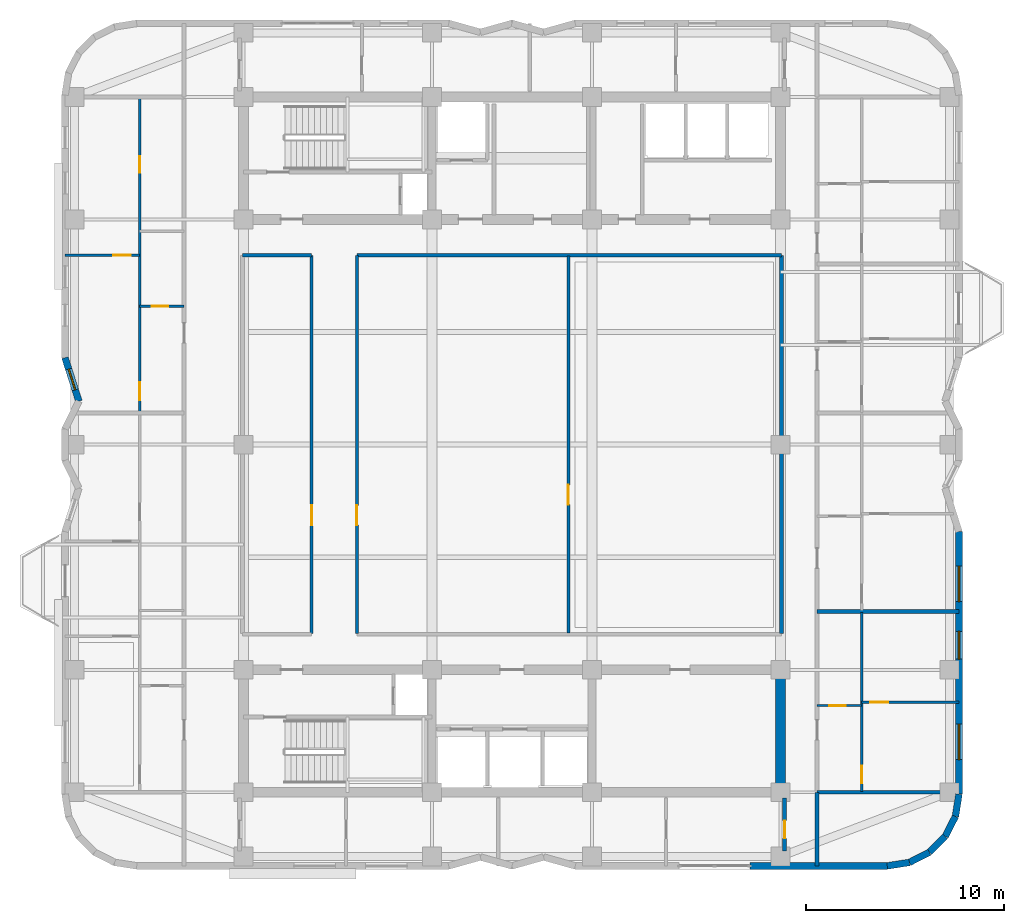
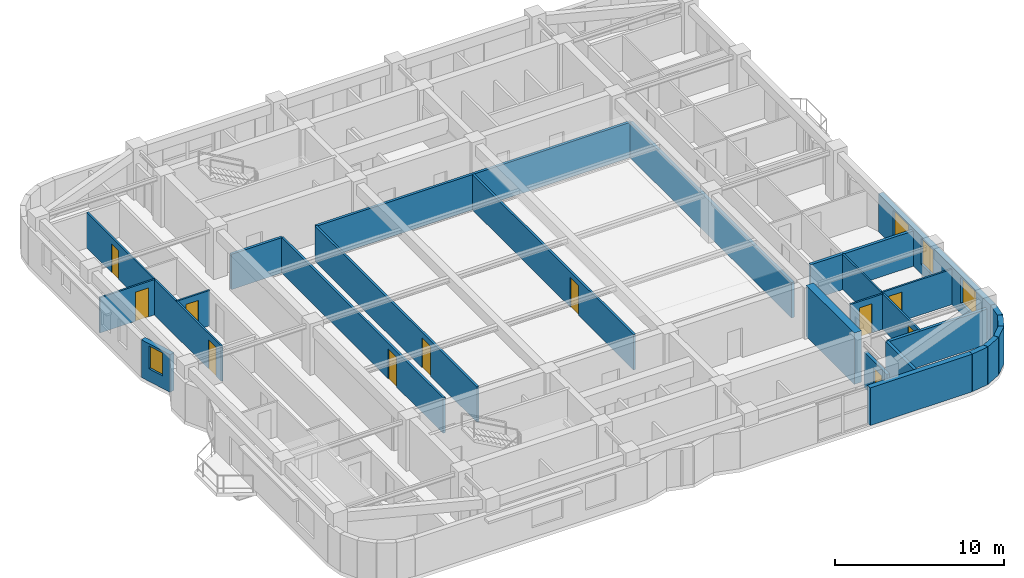
# One storey, part 6 of 12: 25 walls, 11 doors, 4 windows, 15 openings.
"""IFC4 building model written with IfcOpenShell, lengths in metres."""

from ifc_helpers import new_model, si_unit, direction, frame, frame_2d, origin, place, context, subcontext, project, spatial, rectangle, extrude, material, layer, layer_set, type_object, element, fill, save


model = new_model("IFC4")

# Units and contexts
model_context = context("Model", 3, precision=1e-05, world=origin(), true_north=direction((0.0, 1.0)))
body_context = subcontext(model_context, "Body", "Model", "MODEL_VIEW")
ifc_project = project(units=[si_unit("LENGTHUNIT", "METRE"), si_unit("AREAUNIT", "SQUARE_METRE"), si_unit("VOLUMEUNIT", "CUBIC_METRE"), si_unit("PLANEANGLEUNIT", "RADIAN"), si_unit("MASSUNIT", "GRAM", prefix="KILO")], contexts=[model_context])

# Site, building, storey
site_placement = place(None, origin())
site = spatial("IfcSite", under=ifc_project, at=site_placement, CompositionType="ELEMENT")
building_placement = place(site_placement, origin())
building = spatial("IfcBuilding", under=site, at=building_placement, Name="Svetorya Sky Lyceum", CompositionType="ELEMENT")
storey_placement = place(building_placement, frame((0.0, 0.0, 177.39990234375)))
storey = spatial("IfcBuildingStorey", under=building, at=storey_placement, Name="L44", CompositionType="ELEMENT", Elevation=177.39990234375)

# Walls
ifc_material_1 = material(Name="Concrete C50/60", Category="concrete")
ifc_layer_1 = layer(ifc_material_1, 0.5)
ifc_layer_set_1 = layer_set([ifc_layer_1], Name="Concrete C50/60")
wall_type_1 = type_object("IfcWallType", Name="WL-CORE-500", PredefinedType="SHEAR", material=ifc_layer_set_1)
wall_1_placement = place(storey_placement, frame((52.800048828125, 10.85009765625, 0.0), z_axis=(0.0, 0.0, 1.0), x_axis=(0.0, 1.0, 0.0)))
element("IfcWall", 1, at=wall_1_placement, inside=storey, type_object=wall_type_1, Name="L44 SC East Core Shear Wall", PredefinedType="SHEAR", context=body_context, shape_type="SweptSolid", body=[
    extrude(rectangle(XDim=5.699951171875, YDim=0.5, at=frame_2d((2.85009765625, 0.0))), origin(), (0.0, 0.0, 1.0), 3.7001953125),
])
ifc_material_2 = material(Name="Putilovo limestone rainscreen on autoclaved cellular masonry", Category="masonry")
ifc_layer_2 = layer(ifc_material_2, 0.340087890625)
ifc_layer_set_2 = layer_set([ifc_layer_2], Name="Putilovo limestone rainscreen on autoclaved cellular masonry")
wall_type_2 = type_object("IfcWallType", Name="WL-EXT-340", PredefinedType="SOLIDWALL", material=ifc_layer_set_2)
wall_2_placement = place(storey_placement, frame((51.25, 6.8701171875, 0.0), z_axis=(0.0, 0.0, 1.0), x_axis=(1.0, 0.0, 0.0)))
element("IfcWall", 2, at=wall_2_placement, inside=storey, type_object=wall_type_2, Name="L44 Limestone Exterior Wall 11B", PredefinedType="SOLIDWALL", context=body_context, shape_type="SweptSolid", body=[
    extrude(rectangle(XDim=6.949951171875, YDim=0.340087890625, at=frame_2d((3.47509765625, 0.0))), origin(), (0.0, 0.0, 1.0), 2.72021484375),
])
for number, where, z_axis, x_axis, name in (
    (3, (58.199951171875, 6.8701171875, 0.0), (0.0, 0.0, 1.0), (0.987714116584, 0.156271634985, 0.0), "L44 Limestone Exterior Wall 12M"),
    (4, (59.32177734375, 7.047607421875, 0.0), (0.0, 0.0, 1.0), (0.891005044957, 0.453993402883, 0.0), "L44 Limestone Exterior Wall 13M"),
):
    element("IfcWall", number, at=place(storey_placement, frame(where, z_axis=z_axis, x_axis=x_axis)), inside=storey, type_object=wall_type_2, Name=name, PredefinedType="SOLIDWALL", context=body_context, shape_type="SweptSolid", body=[
        extrude(rectangle(XDim=1.1357421875, YDim=0.340087890625, at=frame_2d((0.56787109375, 0.0))), origin(), (0.0, 0.0, 1.0), 2.72021484375),
    ])
wall_3_placement = place(storey_placement, frame((60.333740234375, 7.563232421875, 0.0), z_axis=(0.0, 0.0, 1.0), x_axis=(0.707106781187, 0.707106781187, 0.0)))
element("IfcWall", 5, at=wall_3_placement, inside=storey, type_object=wall_type_2, Name="L44 Limestone Exterior Wall 14M", PredefinedType="SOLIDWALL", context=body_context, shape_type="SweptSolid", body=[
    extrude(rectangle(XDim=1.135498046875, YDim=0.340087890625, at=frame_2d((0.56787109375, 0.0))), origin(), (0.0, 0.0, 1.0), 2.72021484375),
])
wall_4_placement = place(storey_placement, frame((61.13671875, 8.3662109375, 0.0), z_axis=(0.0, 0.0, 1.0), x_axis=(0.45390646422, 0.891049337433, 0.0)))
element("IfcWall", 6, at=wall_4_placement, inside=storey, type_object=wall_type_2, Name="L44 Limestone Exterior Wall 15M", PredefinedType="SOLIDWALL", context=body_context, shape_type="SweptSolid", body=[
    extrude(rectangle(XDim=1.135986328125, YDim=0.340087890625, at=frame_2d((0.56787109375, 0.0))), origin(), (0.0, 0.0, 1.0), 2.72021484375),
])
wall_5_placement = place(storey_placement, frame((61.65234375, 9.37841796875, 0.0), z_axis=(0.0, 0.0, 1.0), x_axis=(0.156514556949, 0.987675651954, 0.0)))
element("IfcWall", 7, at=wall_5_placement, inside=storey, type_object=wall_type_2, Name="L44 Limestone Exterior Wall 16M", PredefinedType="SOLIDWALL", context=body_context, shape_type="SweptSolid", body=[
    extrude(rectangle(XDim=1.135498046875, YDim=0.340087890625, at=frame_2d((0.56787109375, 0.0))), origin(), (0.0, 0.0, 1.0), 2.72021484375),
])

# Wall, openings, windows
wall_6_placement = place(storey_placement, frame((61.830078125, 10.5, 0.0), z_axis=(0.0, 0.0, 1.0), x_axis=(0.0, 1.0, 0.0)))
wall_6 = element("IfcWall", 8, at=wall_6_placement, inside=storey, type_object=wall_type_2, Name="L44 Limestone Exterior Wall 17M", PredefinedType="SOLIDWALL", context=body_context, shape_type="SweptSolid", body=[
    extrude(rectangle(XDim=13.300048828125, YDim=0.340087890625, at=frame_2d((6.64990234375, 0.0))), origin(), (0.0, 0.0, 1.0), 2.72021484375),
])
opening_1_placement = place(wall_6_placement, frame((1.75, 0.0, 0.75)))
opening_1 = element("IfcOpeningElement", 9, at=opening_1_placement, cuts=wall_6, Name="Opening W-R1", PredefinedType="OPENING", context=body_context, shape_type="SweptSolid", body=[
    extrude(rectangle(XDim=1.800048828125, YDim=1.85009765625, at=frame_2d((0.89990234375, 0.925048828125))), frame((0.0, 0.179931640625, 0.0), z_axis=(0.0, -1.0, 0.0), x_axis=(1.0, 0.0, 0.0)), (0.0, 0.0, 1.0), 0.360107421875),
])
opening_2_placement = place(wall_6_placement, frame((6.840087890625, 0.0, 0.7099609375)))
opening_2 = element("IfcOpeningElement", 10, at=opening_2_placement, cuts=wall_6, Name="Opening W-R2", PredefinedType="OPENING", context=body_context, shape_type="SweptSolid", body=[
    extrude(rectangle(XDim=1.39990234375, YDim=1.85009765625, at=frame_2d((0.699951171875, 0.925048828125))), frame((0.0, 0.179931640625, 0.0), z_axis=(0.0, -1.0, 0.0), x_axis=(1.0, 0.0, 0.0)), (0.0, 0.0, 1.0), 0.360107421875),
])
opening_3_placement = place(wall_6_placement, frame((9.75, 0.0, 0.75)))
opening_3 = element("IfcOpeningElement", 11, at=opening_3_placement, cuts=wall_6, Name="Opening W-R1", PredefinedType="OPENING", context=body_context, shape_type="SweptSolid", body=[
    extrude(rectangle(XDim=1.800048828125, YDim=1.85009765625, at=frame_2d((0.89990234375, 0.925048828125))), frame((0.0, 0.179931640625, 0.0), z_axis=(0.0, -1.0, 0.0), x_axis=(1.0, 0.0, 0.0)), (0.0, 0.0, 1.0), 0.360107421875),
])
ifc_material_3 = material(Name="Thermally broken aluminium frame with triple low-E glazing", Category="aluminium")
window_type_1 = type_object("IfcWindowType", Name="WN-RES-140", PartitioningType="SINGLE_PANEL", PredefinedType="WINDOW", material=ifc_material_3)
window_1_placement = place(opening_2_placement, origin())
window_1 = element("IfcWindow", 12, at=window_1_placement, inside=storey, type_object=window_type_1, Name="L44 Facade Window W-R2.17M.3", OverallHeight=1.85009765625, OverallWidth=1.39990234375, PartitioningType="SINGLE_PANEL", PredefinedType="WINDOW", context=body_context, shape_type="SweptSolid", body=[
    extrude(rectangle(XDim=1.39990234375, YDim=1.85009765625, at=frame_2d((0.699951171875, 0.925048828125))), frame((0.0, 0.030029296875, 0.0), z_axis=(0.0, -1.0, 0.0), x_axis=(1.0, 0.0, 0.0)), (0.0, 0.0, 1.0), 0.06005859375),
])
fill(opening_2, window_1)
window_type_2 = type_object("IfcWindowType", Name="WN-RES-180", PartitioningType="DOUBLE_PANEL_VERTICAL", PredefinedType="WINDOW", material=ifc_material_3)
window_2_placement = place(opening_1_placement, origin())
window_2 = element("IfcWindow", 13, at=window_2_placement, inside=storey, type_object=window_type_2, Name="L44 Facade Window W-R1.17M.1", OverallHeight=1.85009765625, OverallWidth=1.800048828125, PartitioningType="SINGLE_PANEL", PredefinedType="WINDOW", context=body_context, shape_type="SweptSolid", body=[
    extrude(rectangle(XDim=1.800048828125, YDim=1.85009765625, at=frame_2d((0.89990234375, 0.925048828125))), frame((0.0, 0.030029296875, 0.0), z_axis=(0.0, -1.0, 0.0), x_axis=(1.0, 0.0, 0.0)), (0.0, 0.0, 1.0), 0.06005859375),
])
fill(opening_1, window_2)
window_3_placement = place(opening_3_placement, origin())
window_3 = element("IfcWindow", 14, at=window_3_placement, inside=storey, type_object=window_type_2, Name="L44 Facade Window W-R1.17M.2", OverallHeight=1.85009765625, OverallWidth=1.800048828125, PartitioningType="SINGLE_PANEL", PredefinedType="WINDOW", context=body_context, shape_type="SweptSolid", body=[
    extrude(rectangle(XDim=1.800048828125, YDim=1.85009765625, at=frame_2d((0.89990234375, 0.925048828125))), frame((0.0, 0.030029296875, 0.0), z_axis=(0.0, -1.0, 0.0), x_axis=(1.0, 0.0, 0.0)), (0.0, 0.0, 1.0), 0.06005859375),
])
fill(opening_3, window_3)

# Wall, opening, window
wall_7_placement = place(storey_placement, frame((16.570068359375, 32.60009765625, 0.0), z_axis=(0.0, 0.0, 1.0), x_axis=(0.303160011437, -0.952939666225, 0.0)))
wall_7 = element("IfcWall", 15, at=wall_7_placement, inside=storey, type_object=wall_type_2, Name="L44 Limestone Exterior Wall 41M", PredefinedType="SOLIDWALL", context=body_context, shape_type="SweptSolid", body=[
    extrude(rectangle(XDim=2.308837890625, YDim=0.340087890625, at=frame_2d((1.154296875, 0.0))), origin(), (0.0, 0.0, 1.0), 2.72021484375),
])
opening_4_placement = place(wall_7_placement, frame((0.604248046875, 0.0, 0.909912109375)))
opening_4 = element("IfcOpeningElement", 16, at=opening_4_placement, cuts=wall_7, Name="Opening W-R3", PredefinedType="OPENING", context=body_context, shape_type="SweptSolid", body=[
    extrude(rectangle(XDim=1.10009765625, YDim=1.64990234375, at=frame_2d((0.550048828125, 0.824951171875))), frame((0.0, 0.179931640625, 0.0), z_axis=(0.0, -1.0, 0.0), x_axis=(1.0, 0.0, 0.0)), (0.0, 0.0, 1.0), 0.360107421875),
])
window_type_3 = type_object("IfcWindowType", Name="WN-RES-110", PartitioningType="SINGLE_PANEL", PredefinedType="WINDOW", material=ifc_material_3)
window_4_placement = place(opening_4_placement, origin())
window_4 = element("IfcWindow", 17, at=window_4_placement, inside=storey, type_object=window_type_3, Name="L44 Facade Window W-R3.41M.1", OverallHeight=1.64990234375, OverallWidth=1.10009765625, PartitioningType="SINGLE_PANEL", PredefinedType="WINDOW", context=body_context, shape_type="SweptSolid", body=[
    extrude(rectangle(XDim=1.10009765625, YDim=1.64990234375, at=frame_2d((0.550048828125, 0.824951171875))), frame((0.0, 0.030029296875, 0.0), z_axis=(0.0, -1.0, 0.0), x_axis=(1.0, 0.0, 0.0)), (0.0, 0.0, 1.0), 0.06005859375),
])
fill(opening_4, window_4)

# Wall, opening, door
ifc_material_4 = material(Name="Twin-stud galvanized framing with double fireboard", Category="gypsum")
ifc_layer_3 = layer(ifc_material_4, 0.1201171875)
ifc_layer_set_3 = layer_set([ifc_layer_3], Name="Twin-stud galvanized framing with double fireboard")
wall_type_3 = type_object("IfcWallType", Name="WL-PART-120", PredefinedType="PARTITIONING", material=ifc_layer_set_3)
wall_8_placement = place(storey_placement, frame((20.35009765625, 35.199951171875, 0.0), z_axis=(0.0, 0.0, 1.0), x_axis=(1.0, 0.0, 0.0)))
wall_8 = element("IfcWall", 18, at=wall_8_placement, inside=storey, type_object=wall_type_3, Name="L44 Interior Partition W2-WH1", PredefinedType="PARTITIONING", context=body_context, shape_type="SweptSolid", body=[
    extrude(rectangle(XDim=2.25, YDim=0.1201171875, at=frame_2d((1.125, 0.0))), origin(), (0.0, 0.0, 1.0), 2.550048828125),
])
opening_5_placement = place(wall_8_placement, frame((0.60009765625, 0.0, 0.0)))
opening_5 = element("IfcOpeningElement", 19, at=opening_5_placement, cuts=wall_8, Name="Opening D-BT1", PredefinedType="OPENING", context=body_context, shape_type="SweptSolid", body=[
    extrude(rectangle(XDim=0.85009765625, YDim=2.10009765625, at=frame_2d((0.425048828125, 1.050048828125))), frame((0.0, 0.070068359375, 0.0), z_axis=(0.0, -1.0, 0.0), x_axis=(1.0, 0.0, 0.0)), (0.0, 0.0, 1.0), 0.14013671875),
])
ifc_material_5 = material(Name="Moisture-resistant laminate bathroom door")
door_type_1 = type_object("IfcDoorType", Name="DR-WET-850", OperationType="SINGLE_SWING_LEFT", PredefinedType="DOOR", material=ifc_material_5)
door_1_placement = place(opening_5_placement, origin())
door_1 = element("IfcDoor", 20, at=door_1_placement, inside=storey, type_object=door_type_1, Name="Apartment W2 Bathroom Door", OperationType="SINGLE_SWING_RIGHT", OverallHeight=2.10009765625, OverallWidth=0.85009765625, PredefinedType="DOOR", context=body_context, shape_type="SweptSolid", body=[
    extrude(rectangle(XDim=0.85009765625, YDim=2.10009765625, at=frame_2d((0.425048828125, 1.050048828125))), frame((0.0, 0.02490234375, 0.0), z_axis=(0.0, -1.0, 0.0), x_axis=(1.0, 0.0, 0.0)), (0.0, 0.0, 1.0), 0.050048828125),
])
fill(opening_5, door_1)

wall_9_placement = place(storey_placement, frame((16.570068359375, 37.7900390625, 0.0), z_axis=(0.0, 0.0, 1.0), x_axis=(1.0, 0.0, 0.0)))
wall_9 = element("IfcWall", 21, at=wall_9_placement, inside=storey, type_object=wall_type_3, Name="L44 Interior Partition W2-WL1", PredefinedType="PARTITIONING", context=body_context, shape_type="SweptSolid", body=[
    extrude(rectangle(XDim=3.780029296875, YDim=0.1201171875, at=frame_2d((1.89013671875, 0.0))), origin(), (0.0, 0.0, 1.0), 2.550048828125),
])
opening_6_placement = place(wall_9_placement, frame((2.429931640625, 0.0, 0.0)))
opening_6 = element("IfcOpeningElement", 22, at=opening_6_placement, cuts=wall_9, Name="Opening D-RM1", PredefinedType="OPENING", context=body_context, shape_type="SweptSolid", body=[
    extrude(rectangle(XDim=0.89990234375, YDim=2.10009765625, at=frame_2d((0.449951171875, 1.050048828125))), frame((0.0, 0.070068359375, 0.0), z_axis=(0.0, -1.0, 0.0), x_axis=(1.0, 0.0, 0.0)), (0.0, 0.0, 1.0), 0.14013671875),
])
ifc_material_6 = material(Name="Lacquered birch veneer internal door")
door_type_2 = type_object("IfcDoorType", Name="DR-INT-900", OperationType="SINGLE_SWING_LEFT", PredefinedType="DOOR", material=ifc_material_6)
door_2_placement = place(opening_6_placement, origin())
door_2 = element("IfcDoor", 23, at=door_2_placement, inside=storey, type_object=door_type_2, Name="Apartment W2 Bedroom 1 Door", OperationType="SINGLE_SWING_RIGHT", OverallHeight=2.10009765625, OverallWidth=0.89990234375, PredefinedType="DOOR", context=body_context, shape_type="SweptSolid", body=[
    extrude(rectangle(XDim=0.89990234375, YDim=2.10009765625, at=frame_2d((0.449951171875, 1.050048828125))), frame((0.0, 0.02490234375, 0.0), z_axis=(0.0, -1.0, 0.0), x_axis=(1.0, 0.0, 0.0)), (0.0, 0.0, 1.0), 0.050048828125),
])
fill(opening_6, door_2)

# Wall, openings, doors
wall_10_placement = place(storey_placement, frame((20.35009765625, 29.840087890625, 0.0), z_axis=(0.0, 0.0, 1.0), x_axis=(0.0, 1.0, 0.0)))
wall_10 = element("IfcWall", 24, at=wall_10_placement, inside=storey, type_object=wall_type_3, Name="L44 Interior Partition W2-WV", PredefinedType="PARTITIONING", context=body_context, shape_type="SweptSolid", body=[
    extrude(rectangle(XDim=15.919921875, YDim=0.1201171875, at=frame_2d((7.9599609375, 0.0))), origin(), (0.0, 0.0, 1.0), 2.550048828125),
])
opening_7_placement = place(wall_10_placement, frame((0.610107421875, 0.0, 0.0)))
opening_7 = element("IfcOpeningElement", 25, at=opening_7_placement, cuts=wall_10, Name="Opening D-RM1", PredefinedType="OPENING", context=body_context, shape_type="SweptSolid", body=[
    extrude(rectangle(XDim=0.89990234375, YDim=2.10009765625, at=frame_2d((0.449951171875, 1.050048828125))), frame((0.0, 0.070068359375, 0.0), z_axis=(0.0, -1.0, 0.0), x_axis=(1.0, 0.0, 0.0)), (0.0, 0.0, 1.0), 0.14013671875),
])
opening_8_placement = place(wall_10_placement, frame((12.135009765625, 0.0, 0.0)))
opening_8 = element("IfcOpeningElement", 26, at=opening_8_placement, cuts=wall_10, Name="Opening D-BT2", PredefinedType="OPENING", context=body_context, shape_type="SweptSolid", body=[
    extrude(rectangle(XDim=0.820068359375, YDim=2.080078125, at=frame_2d((0.41015625, 1.0400390625))), frame((0.0, 0.070068359375, 0.0), z_axis=(0.0, -1.0, 0.0), x_axis=(1.0, 0.0, 0.0)), (0.0, 0.0, 1.0), 0.14013671875),
])
door_3_placement = place(opening_7_placement, origin())
door_3 = element("IfcDoor", 27, at=door_3_placement, inside=storey, type_object=door_type_2, Name="Apartment W2 Living Door", OperationType="SINGLE_SWING_LEFT", OverallHeight=2.10009765625, OverallWidth=0.89990234375, PredefinedType="DOOR", context=body_context, shape_type="SweptSolid", body=[
    extrude(rectangle(XDim=0.89990234375, YDim=2.10009765625, at=frame_2d((0.449951171875, 1.050048828125))), frame((0.0, 0.02490234375, 0.0), z_axis=(0.0, -1.0, 0.0), x_axis=(1.0, 0.0, 0.0)), (0.0, 0.0, 1.0), 0.050048828125),
])
fill(opening_7, door_3)
ifc_material_7 = material(Name="Compact moisture-resistant laminate closet door")
door_type_3 = type_object("IfcDoorType", Name="DR-WET-820", OperationType="SINGLE_SWING_LEFT", PredefinedType="DOOR", material=ifc_material_7)
door_4_placement = place(opening_8_placement, origin())
door_4 = element("IfcDoor", 28, at=door_4_placement, inside=storey, type_object=door_type_3, Name="Apartment W2 Study Door", OperationType="SINGLE_SWING_RIGHT", OverallHeight=2.080078125, OverallWidth=0.820068359375, PredefinedType="DOOR", context=body_context, shape_type="SweptSolid", body=[
    extrude(rectangle(XDim=0.820068359375, YDim=2.080078125, at=frame_2d((0.41015625, 1.0400390625))), frame((0.0, 0.02490234375, 0.0), z_axis=(0.0, -1.0, 0.0), x_axis=(1.0, 0.0, 0.0)), (0.0, 0.0, 1.0), 0.050048828125),
])
fill(opening_8, door_4)

# Wall, opening, door
wall_11_placement = place(storey_placement, frame((54.64990234375, 14.989990234375, 0.0), z_axis=(0.0, 0.0, 1.0), x_axis=(1.0, 0.0, 0.0)))
wall_11 = element("IfcWall", 29, at=wall_11_placement, inside=storey, type_object=wall_type_3, Name="L44 Interior Partition E1-WH1", PredefinedType="PARTITIONING", context=body_context, shape_type="SweptSolid", body=[
    extrude(rectangle(XDim=2.25, YDim=0.1201171875, at=frame_2d((1.125, 0.0))), origin(), (0.0, 0.0, 1.0), 2.550048828125),
])
opening_9_placement = place(wall_11_placement, frame((0.60009765625, 0.0, 0.0)))
opening_9 = element("IfcOpeningElement", 30, at=opening_9_placement, cuts=wall_11, Name="Opening D-BT1", PredefinedType="OPENING", context=body_context, shape_type="SweptSolid", body=[
    extrude(rectangle(XDim=0.85009765625, YDim=2.10009765625, at=frame_2d((0.425048828125, 1.050048828125))), frame((0.0, 0.070068359375, 0.0), z_axis=(0.0, -1.0, 0.0), x_axis=(1.0, 0.0, 0.0)), (0.0, 0.0, 1.0), 0.14013671875),
])
door_5_placement = place(opening_9_placement, origin())
door_5 = element("IfcDoor", 31, at=door_5_placement, inside=storey, type_object=door_type_1, Name="Apartment E1 Bathroom Door", OperationType="SINGLE_SWING_RIGHT", OverallHeight=2.10009765625, OverallWidth=0.85009765625, PredefinedType="DOOR", context=body_context, shape_type="SweptSolid", body=[
    extrude(rectangle(XDim=0.85009765625, YDim=2.10009765625, at=frame_2d((0.425048828125, 1.050048828125))), frame((0.0, 0.02490234375, 0.0), z_axis=(0.0, -1.0, 0.0), x_axis=(1.0, 0.0, 0.0)), (0.0, 0.0, 1.0), 0.050048828125),
])
fill(opening_9, door_5)

wall_12_placement = place(storey_placement, frame((56.89990234375, 15.14990234375, 0.0), z_axis=(0.0, 0.0, 1.0), x_axis=(1.0, 0.0, 0.0)))
wall_12 = element("IfcWall", 32, at=wall_12_placement, inside=storey, type_object=wall_type_3, Name="L44 Interior Partition E1-WL1", PredefinedType="PARTITIONING", context=body_context, shape_type="SweptSolid", body=[
    extrude(rectangle(XDim=4.93017578125, YDim=0.1201171875, at=frame_2d((2.465087890625, 0.0))), origin(), (0.0, 0.0, 1.0), 2.550048828125),
])
opening_10_placement = place(wall_12_placement, frame((0.449951171875, 0.0, 0.0)))
opening_10 = element("IfcOpeningElement", 33, at=opening_10_placement, cuts=wall_12, Name="Opening D-RM1", PredefinedType="OPENING", context=body_context, shape_type="SweptSolid", body=[
    extrude(rectangle(XDim=0.89990234375, YDim=2.10009765625, at=frame_2d((0.449951171875, 1.050048828125))), frame((0.0, 0.070068359375, 0.0), z_axis=(0.0, -1.0, 0.0), x_axis=(1.0, 0.0, 0.0)), (0.0, 0.0, 1.0), 0.14013671875),
])
door_6_placement = place(opening_10_placement, origin())
door_6 = element("IfcDoor", 34, at=door_6_placement, inside=storey, type_object=door_type_2, Name="Apartment E1 Bedroom 1 Door", OperationType="SINGLE_SWING_RIGHT", OverallHeight=2.10009765625, OverallWidth=0.89990234375, PredefinedType="DOOR", context=body_context, shape_type="SweptSolid", body=[
    extrude(rectangle(XDim=0.89990234375, YDim=2.10009765625, at=frame_2d((0.449951171875, 1.050048828125))), frame((0.0, 0.02490234375, 0.0), z_axis=(0.0, -1.0, 0.0), x_axis=(1.0, 0.0, 0.0)), (0.0, 0.0, 1.0), 0.050048828125),
])
fill(opening_10, door_6)

wall_13_placement = place(storey_placement, frame((56.89990234375, 10.639892578125, 0.0), z_axis=(0.0, 0.0, 1.0), x_axis=(0.0, 1.0, 0.0)))
wall_13 = element("IfcWall", 35, at=wall_13_placement, inside=storey, type_object=wall_type_3, Name="L44 Interior Partition E1-WV", PredefinedType="PARTITIONING", context=body_context, shape_type="SweptSolid", body=[
    extrude(rectangle(XDim=9.072021484375, YDim=0.1201171875, at=frame_2d((4.5361328125, 0.0))), origin(), (0.0, 0.0, 1.0), 2.550048828125),
])
opening_11_placement = place(wall_13_placement, frame((0.409912109375, 0.0, 0.0)))
opening_11 = element("IfcOpeningElement", 36, at=opening_11_placement, cuts=wall_13, Name="Opening D-RM1", PredefinedType="OPENING", context=body_context, shape_type="SweptSolid", body=[
    extrude(rectangle(XDim=0.89990234375, YDim=2.10009765625, at=frame_2d((0.449951171875, 1.050048828125))), frame((0.0, 0.070068359375, 0.0), z_axis=(0.0, -1.0, 0.0), x_axis=(1.0, 0.0, 0.0)), (0.0, 0.0, 1.0), 0.14013671875),
])
door_7_placement = place(opening_11_placement, origin())
door_7 = element("IfcDoor", 37, at=door_7_placement, inside=storey, type_object=door_type_2, Name="Apartment E1 Living Door", OperationType="SINGLE_SWING_LEFT", OverallHeight=2.10009765625, OverallWidth=0.89990234375, PredefinedType="DOOR", context=body_context, shape_type="SweptSolid", body=[
    extrude(rectangle(XDim=0.89990234375, YDim=2.10009765625, at=frame_2d((0.449951171875, 1.050048828125))), frame((0.0, 0.02490234375, 0.0), z_axis=(0.0, -1.0, 0.0), x_axis=(1.0, 0.0, 0.0)), (0.0, 0.0, 1.0), 0.050048828125),
])
fill(opening_11, door_7)

ifc_material_8 = material(Name="Autoclaved cellular masonry blockwork with acoustic render", Category="masonry")
ifc_layer_4 = layer(ifc_material_8, 0.14990234375)
ifc_layer_set_4 = layer_set([ifc_layer_4], Name="Autoclaved cellular masonry blockwork with acoustic render")
wall_type_4 = type_object("IfcWallType", Name="WL-PART-150", PredefinedType="PARTITIONING", material=ifc_layer_set_4)
wall_14_placement = place(storey_placement, frame((42.06005859375, 18.659912109375, 0.0), z_axis=(0.0, 0.0, 1.0), x_axis=(0.0, 1.0, 0.0)))
wall_14 = element("IfcWall", 38, at=wall_14_placement, inside=storey, type_object=wall_type_4, Name="L44 Interior Partition OFF-VEMID", PredefinedType="PARTITIONING", context=body_context, shape_type="SweptSolid", body=[
    extrude(rectangle(XDim=19.080078125, YDim=0.14990234375, at=frame_2d((9.5400390625, 0.0))), origin(), (0.0, 0.0, 1.0), 2.550048828125),
])
opening_12_placement = place(wall_14_placement, frame((6.5, 0.0, 0.0)))
opening_12 = element("IfcOpeningElement", 39, at=opening_12_placement, cuts=wall_14, Name="Opening D-RM2", PredefinedType="OPENING", context=body_context, shape_type="SweptSolid", body=[
    extrude(rectangle(XDim=1.0, YDim=2.14990234375, at=frame_2d((0.5, 1.074951171875))), frame((0.0, 0.0849609375, 0.0), z_axis=(0.0, -1.0, 0.0), x_axis=(1.0, 0.0, 0.0)), (0.0, 0.0, 1.0), 0.169921875),
])
ifc_material_9 = material(Name="Solid-core oak acoustic room door")
door_type_4 = type_object("IfcDoorType", Name="DR-INT-1000", OperationType="SINGLE_SWING_LEFT", PredefinedType="DOOR", material=ifc_material_9)
door_8_placement = place(opening_12_placement, origin())
door_8 = element("IfcDoor", 40, at=door_8_placement, inside=storey, type_object=door_type_4, Name="L44 Recreation Door", OperationType="SINGLE_SWING_LEFT", OverallHeight=2.14990234375, OverallWidth=1.0, PredefinedType="DOOR", context=body_context, shape_type="SweptSolid", body=[
    extrude(rectangle(XDim=1.0, YDim=2.14990234375, at=frame_2d((0.5, 1.074951171875))), frame((0.0, 0.02490234375, 0.0), z_axis=(0.0, -1.0, 0.0), x_axis=(1.0, 0.0, 0.0)), (0.0, 0.0, 1.0), 0.050048828125),
])
fill(opening_12, door_8)

wall_15_placement = place(storey_placement, frame((29.050048828125, 18.6298828125, 0.0), z_axis=(0.0, 0.0, 1.0), x_axis=(0.0, 1.0, 0.0)))
wall_15 = element("IfcWall", 41, at=wall_15_placement, inside=storey, type_object=wall_type_4, Name="L44 Interior Partition OFF-VW", PredefinedType="PARTITIONING", context=body_context, shape_type="SweptSolid", body=[
    extrude(rectangle(XDim=19.14013671875, YDim=0.14990234375, at=frame_2d((9.570068359375, 0.0))), origin(), (0.0, 0.0, 1.0), 2.550048828125),
])
opening_13_placement = place(wall_15_placement, frame((5.5, 0.0, 0.0)))
opening_13 = element("IfcOpeningElement", 42, at=opening_13_placement, cuts=wall_15, Name="Opening D-RM2", PredefinedType="OPENING", context=body_context, shape_type="SweptSolid", body=[
    extrude(rectangle(XDim=1.0, YDim=2.14990234375, at=frame_2d((0.5, 1.074951171875))), frame((0.0, 0.0849609375, 0.0), z_axis=(0.0, -1.0, 0.0), x_axis=(1.0, 0.0, 0.0)), (0.0, 0.0, 1.0), 0.169921875),
])
door_9_placement = place(opening_13_placement, origin())
door_9 = element("IfcDoor", 43, at=door_9_placement, inside=storey, type_object=door_type_4, Name="L44 West Office Door", OperationType="SINGLE_SWING_LEFT", OverallHeight=2.14990234375, OverallWidth=1.0, PredefinedType="DOOR", context=body_context, shape_type="SweptSolid", body=[
    extrude(rectangle(XDim=1.0, YDim=2.14990234375, at=frame_2d((0.5, 1.074951171875))), frame((0.0, 0.02490234375, 0.0), z_axis=(0.0, -1.0, 0.0), x_axis=(1.0, 0.0, 0.0)), (0.0, 0.0, 1.0), 0.050048828125),
])
fill(opening_13, door_9)

wall_16_placement = place(storey_placement, frame((31.35009765625, 18.6298828125, 0.0), z_axis=(0.0, 0.0, 1.0), x_axis=(0.0, 1.0, 0.0)))
wall_16 = element("IfcWall", 44, at=wall_16_placement, inside=storey, type_object=wall_type_4, Name="L44 Interior Partition OFF-VE", PredefinedType="PARTITIONING", context=body_context, shape_type="SweptSolid", body=[
    extrude(rectangle(XDim=19.14013671875, YDim=0.14990234375, at=frame_2d((9.570068359375, 0.0))), origin(), (0.0, 0.0, 1.0), 2.550048828125),
])
opening_14_placement = place(wall_16_placement, frame((5.5, 0.0, 0.0)))
opening_14 = element("IfcOpeningElement", 45, at=opening_14_placement, cuts=wall_16, Name="Opening D-RM2", PredefinedType="OPENING", context=body_context, shape_type="SweptSolid", body=[
    extrude(rectangle(XDim=1.0, YDim=2.14990234375, at=frame_2d((0.5, 1.074951171875))), frame((0.0, 0.0849609375, 0.0), z_axis=(0.0, -1.0, 0.0), x_axis=(1.0, 0.0, 0.0)), (0.0, 0.0, 1.0), 0.169921875),
])
door_10_placement = place(opening_14_placement, origin())
door_10 = element("IfcDoor", 46, at=door_10_placement, inside=storey, type_object=door_type_4, Name="L44 Seminar Door", OperationType="SINGLE_SWING_RIGHT", OverallHeight=2.14990234375, OverallWidth=1.0, PredefinedType="DOOR", context=body_context, shape_type="SweptSolid", body=[
    extrude(rectangle(XDim=1.0, YDim=2.14990234375, at=frame_2d((0.5, 1.074951171875))), frame((0.0, 0.02490234375, 0.0), z_axis=(0.0, -1.0, 0.0), x_axis=(1.0, 0.0, 0.0)), (0.0, 0.0, 1.0), 0.050048828125),
])
fill(opening_14, door_10)

# Walls
ifc_material_10 = material(Name="Autoclaved cellular masonry blockwork with fire render", Category="masonry")
ifc_layer_5 = layer(ifc_material_10, 0.175048828125)
ifc_layer_set_5 = layer_set([ifc_layer_5], Name="Autoclaved cellular masonry blockwork with fire render")
wall_type_5 = type_object("IfcWallType", Name="WL-PART-175", PredefinedType="PARTITIONING", material=ifc_layer_set_5)
wall_17_placement = place(storey_placement, frame((25.550048828125, 37.800048828125, 0.0), z_axis=(0.0, 0.0, 1.0), x_axis=(1.0, 0.0, 0.0)))
element("IfcWall", 47, at=wall_17_placement, inside=storey, type_object=wall_type_5, Name="L44 Interior Partition OFF-CN-W", PredefinedType="PARTITIONING", context=body_context, shape_type="SweptSolid", body=[
    extrude(rectangle(XDim=3.5, YDim=0.175048828125, at=frame_2d((1.75, 0.0))), origin(), (0.0, 0.0, 1.0), 2.550048828125),
])
wall_18_placement = place(storey_placement, frame((31.35009765625, 37.800048828125, 0.0), z_axis=(0.0, 0.0, 1.0), x_axis=(1.0, 0.0, 0.0)))
element("IfcWall", 48, at=wall_18_placement, inside=storey, type_object=wall_type_5, Name="L44 Interior Partition OFF-CN-E", PredefinedType="PARTITIONING", context=body_context, shape_type="SweptSolid", body=[
    extrude(rectangle(XDim=21.5, YDim=0.175048828125, at=frame_2d((10.75, 0.0))), origin(), (0.0, 0.0, 1.0), 2.550048828125),
])
ifc_material_11 = material(Name="Autoclaved cellular masonry blockwork with gypsum plaster", Category="masonry")
ifc_layer_6 = layer(ifc_material_11, 0.199951171875)
ifc_layer_set_6 = layer_set([ifc_layer_6], Name="Autoclaved cellular masonry blockwork with gypsum plaster")
wall_type_6 = type_object("IfcWallType", Name="WL-PART-200", PredefinedType="PARTITIONING", material=ifc_layer_set_6)
wall_19_placement = place(storey_placement, frame((52.85009765625, 18.6298828125, 0.0), z_axis=(0.0, 0.0, 1.0), x_axis=(0.0, 1.0, 0.0)))
element("IfcWall", 49, at=wall_19_placement, inside=storey, type_object=wall_type_6, Name="L44 Interior Partition E-CEN-SEP", PredefinedType="PARTITIONING", context=body_context, shape_type="SweptSolid", body=[
    extrude(rectangle(XDim=19.14013671875, YDim=0.199951171875, at=frame_2d((9.570068359375, 0.0))), origin(), (0.0, 0.0, 1.0), 2.550048828125),
])
wall_20_placement = place(storey_placement, frame((54.64990234375, 19.751953125, 0.0), z_axis=(0.0, 0.0, 1.0), x_axis=(1.0, 0.0, 0.0)))
element("IfcWall", 50, at=wall_20_placement, inside=storey, type_object=wall_type_6, Name="L44 Interior Partition E-PARTY-1", PredefinedType="PARTITIONING", context=body_context, shape_type="SweptSolid", body=[
    extrude(rectangle(XDim=7.18017578125, YDim=0.199951171875, at=frame_2d((3.590087890625, 0.0))), origin(), (0.0, 0.0, 1.0), 2.550048828125),
])
wall_21_placement = place(storey_placement, frame((54.64990234375, 10.60009765625, 0.0), z_axis=(0.0, 0.0, 1.0), x_axis=(1.0, 0.0, 0.0)))
element("IfcWall", 51, at=wall_21_placement, inside=storey, type_object=wall_type_6, Name="L44 Interior Partition E-CAP-S", PredefinedType="PARTITIONING", context=body_context, shape_type="SweptSolid", body=[
    extrude(rectangle(XDim=6.760009765625, YDim=0.199951171875, at=frame_2d((3.3798828125, 0.0))), origin(), (0.0, 0.0, 1.0), 2.550048828125),
])
wall_22_placement = place(storey_placement, frame((54.64990234375, 6.8701171875, 0.0), z_axis=(0.0, 0.0, 1.0), x_axis=(0.0, 1.0, 0.0)))
element("IfcWall", 52, at=wall_22_placement, inside=storey, type_object=wall_type_6, Name="L44 Interior Partition EC-SE-END", PredefinedType="PARTITIONING", context=body_context, shape_type="SweptSolid", body=[
    extrude(rectangle(XDim=3.72998046875, YDim=0.199951171875, at=frame_2d((1.864990234375, 0.0))), origin(), (0.0, 0.0, 1.0), 2.550048828125),
])

# Wall, opening, door
wall_23_placement = place(storey_placement, frame((53.0, 7.6201171875, 0.0), z_axis=(0.0, 0.0, 1.0), x_axis=(0.0, 1.0, 0.0)))
wall_23 = element("IfcWall", 53, at=wall_23_placement, inside=storey, type_object=wall_type_6, Name="L44 Interior Partition S4-EE", PredefinedType="PARTITIONING", context=body_context, shape_type="SweptSolid", body=[
    extrude(rectangle(XDim=2.679931640625, YDim=0.199951171875, at=frame_2d((1.33984375, 0.0))), origin(), (0.0, 0.0, 1.0), 2.550048828125),
])
opening_15_placement = place(wall_23_placement, frame((0.64990234375, 0.0, 0.0)))
opening_15 = element("IfcOpeningElement", 54, at=opening_15_placement, cuts=wall_23, Name="Opening D-RM1", PredefinedType="OPENING", context=body_context, shape_type="SweptSolid", body=[
    extrude(rectangle(XDim=0.89990234375, YDim=2.10009765625, at=frame_2d((0.449951171875, 1.050048828125))), frame((0.0, 0.10986328125, 0.0), z_axis=(0.0, -1.0, 0.0), x_axis=(1.0, 0.0, 0.0)), (0.0, 0.0, 1.0), 0.219970703125),
])
door_11_placement = place(opening_15_placement, origin())
door_11 = element("IfcDoor", 55, at=door_11_placement, inside=storey, type_object=door_type_2, Name="L44 SE Meeting Door", OperationType="SINGLE_SWING_RIGHT", OverallHeight=2.10009765625, OverallWidth=0.89990234375, PredefinedType="DOOR", context=body_context, shape_type="SweptSolid", body=[
    extrude(rectangle(XDim=0.89990234375, YDim=2.10009765625, at=frame_2d((0.449951171875, 1.050048828125))), frame((0.0, 0.02490234375, 0.0), z_axis=(0.0, -1.0, 0.0), x_axis=(1.0, 0.0, 0.0)), (0.0, 0.0, 1.0), 0.050048828125),
])
fill(opening_15, door_11)

save(model, "model.ifc")
